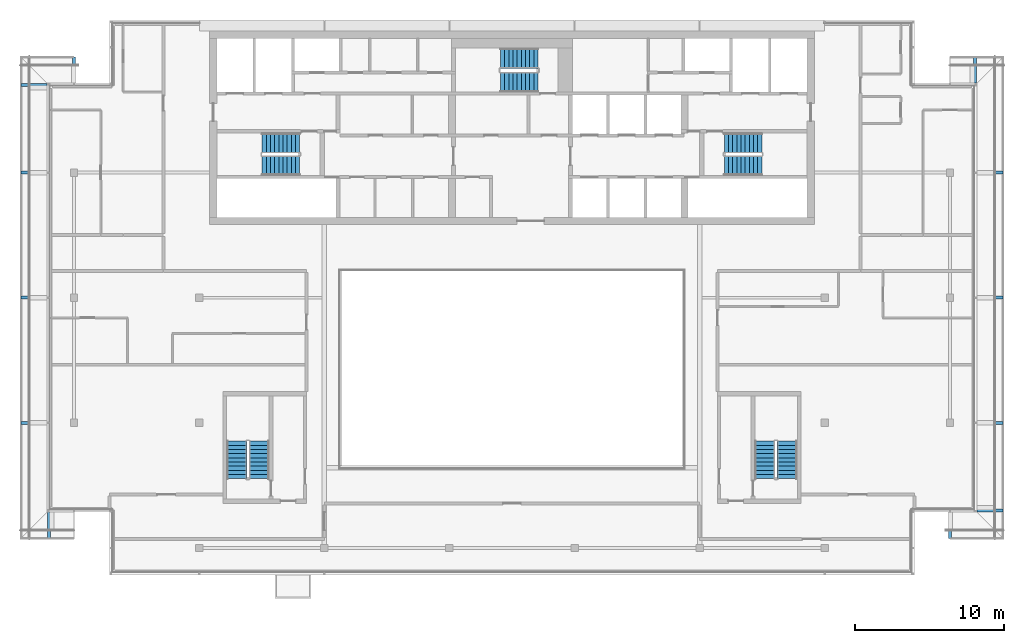
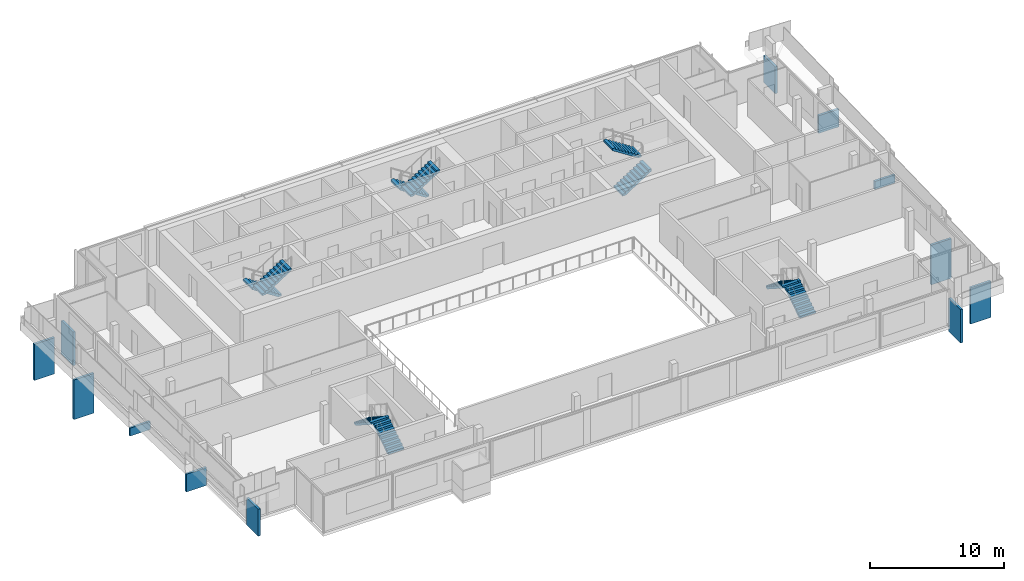
# One storey, part 15 of 19: 12 discrete accessories, 10 stair flights, 5 elements without a shape of their own.
"""IFC4 building model written with IfcOpenShell, lengths in metres."""

from ifc_helpers import new_model, si_unit, direction, frame, origin, origin_2d, place, context, subcontext, project, spatial, polyline, rectangle, outline, extrude, material, type_object, element, aggregate, save


model = new_model("IFC4")

# Units and contexts
model_context = context("Model", 3, precision=1e-05, world=origin(), true_north=direction((0.0, 1.0)))
body_context = subcontext(model_context, "Body", "Model", "MODEL_VIEW")
ifc_project = project(units=[si_unit("LENGTHUNIT", "METRE"), si_unit("AREAUNIT", "SQUARE_METRE"), si_unit("VOLUMEUNIT", "CUBIC_METRE"), si_unit("PLANEANGLEUNIT", "RADIAN"), si_unit("MASSUNIT", "GRAM", prefix="KILO")], contexts=[model_context])

# Site, building, storey
site_placement = place(None, origin())
site = spatial("IfcSite", under=ifc_project, at=site_placement, CompositionType="ELEMENT")
building_placement = place(site_placement, origin())
building = spatial("IfcBuilding", under=site, at=building_placement, Name="Saffron Gate Tower", CompositionType="ELEMENT")
storey_placement = place(building_placement, frame((0.0, 0.0, 292.35009765625)))
storey = spatial("IfcBuildingStorey", under=building, at=storey_placement, Name="L71", CompositionType="ELEMENT", Elevation=292.35009765625)

# Stair, stair flights
ifc_material = material(Name="Concrete C40", Category="concrete")
stair_type = type_object("IfcStairType", Name="ST7 Stair 1350 wide, 20 risers of 180", PredefinedType="HALF_TURN_STAIR", material=ifc_material)
stair_1_placement = place(storey_placement, origin())
stair_1 = element("IfcStair", 1, at=stair_1_placement, inside=storey, type_object=stair_type, Name="L71 Exit stair A", PredefinedType="HALF_TURN_STAIR")
stair_flight_type = type_object("IfcStairFlightType", Name="SF3 Stair flight 1350 wide, riser 180 going 280", PredefinedType="STRAIGHT", material=ifc_material)
stair_flight_1_placement = place(storey_placement, frame((73.35009765625, 67.375, 0.0), z_axis=(0.0, 0.0, 1.0), x_axis=(-1.0, 0.0, 0.0)))
stair_flight_1 = element("IfcStairFlight", 2, at=stair_flight_1_placement, type_object=stair_flight_type, Name="ST-A flight 1", NumberOfRisers=10, NumberOfTreads=9, PredefinedType="STRAIGHT", RiserHeight=0.18, TreadLength=0.28, context=body_context, shape_type="SweptSolid", body=[
    extrude(outline(polyline([(0.0, 0.0), (0.0, 0.179931640625), (0.280029296875, 0.179931640625), (0.280029296875, 0.360107421875), (0.56005859375, 0.360107421875), (0.56005859375, 0.5400390625), (0.840087890625, 0.5400390625), (0.840087890625, 0.719970703125), (1.1201171875, 0.719970703125), (1.1201171875, 0.89990234375), (1.39990234375, 0.89990234375), (1.39990234375, 1.080078125), (1.679931640625, 1.080078125), (1.679931640625, 1.260009765625), (1.9599609375, 1.260009765625), (1.9599609375, 1.43994140625), (2.239990234375, 1.43994140625), (2.239990234375, 1.6201171875), (2.52001953125, 1.6201171875), (2.52001953125, 1.800048828125), (2.52001953125, 1.44189453125), (0.277099609375, 0.0), (0.0, 0.0)])), frame((0.0, 0.675048828125, 0.0), z_axis=(0.0, -1.0, 0.0), x_axis=(1.0, 0.0, 0.0)), (0.0, 0.0, 1.0), 1.35009765625),
])
stair_flight_2_placement = place(storey_placement, frame((70.830078125, 65.875, 1.7998046875), z_axis=(0.0, 0.0, 1.0), x_axis=(1.0, 0.0, 0.0)))
stair_flight_2 = element("IfcStairFlight", 3, at=stair_flight_2_placement, type_object=stair_flight_type, Name="ST-A flight 2", NumberOfRisers=10, NumberOfTreads=9, PredefinedType="STRAIGHT", RiserHeight=0.18, TreadLength=0.28, context=body_context, shape_type="SweptSolid", body=[
    extrude(outline(polyline([(0.0, 0.0), (0.0, 0.179931640625), (0.280029296875, 0.179931640625), (0.280029296875, 0.360107421875), (0.56005859375, 0.360107421875), (0.56005859375, 0.5400390625), (0.840087890625, 0.5400390625), (0.840087890625, 0.719970703125), (1.1201171875, 0.719970703125), (1.1201171875, 0.89990234375), (1.39990234375, 0.89990234375), (1.39990234375, 1.080078125), (1.679931640625, 1.080078125), (1.679931640625, 1.260009765625), (1.9599609375, 1.260009765625), (1.9599609375, 1.43994140625), (2.239990234375, 1.43994140625), (2.239990234375, 1.6201171875), (2.52001953125, 1.6201171875), (2.52001953125, 1.800048828125), (2.52001953125, 1.44189453125), (0.277099609375, 0.0), (0.0, 0.0)])), frame((0.0, 0.675048828125, 0.0), z_axis=(0.0, -1.0, 0.0), x_axis=(1.0, 0.0, 0.0)), (0.0, 0.0, 1.0), 1.35009765625),
])
aggregate(stair_1, [stair_flight_1, stair_flight_2])

stair_2_placement = place(storey_placement, origin())
stair_2 = element("IfcStair", 4, at=stair_2_placement, inside=storey, type_object=stair_type, Name="L71 Exit stair B", PredefinedType="HALF_TURN_STAIR")
stair_flight_3_placement = place(storey_placement, frame((101.85009765625, 65.875, 0.0), z_axis=(0.0, 0.0, 1.0), x_axis=(1.0, 0.0, 0.0)))
stair_flight_3 = element("IfcStairFlight", 5, at=stair_flight_3_placement, type_object=stair_flight_type, Name="ST-B flight 1", NumberOfRisers=10, NumberOfTreads=9, PredefinedType="STRAIGHT", RiserHeight=0.18, TreadLength=0.28, context=body_context, shape_type="SweptSolid", body=[
    extrude(outline(polyline([(0.0, 0.0), (0.0, 0.179931640625), (0.280029296875, 0.179931640625), (0.280029296875, 0.360107421875), (0.56005859375, 0.360107421875), (0.56005859375, 0.5400390625), (0.840087890625, 0.5400390625), (0.840087890625, 0.719970703125), (1.1201171875, 0.719970703125), (1.1201171875, 0.89990234375), (1.39990234375, 0.89990234375), (1.39990234375, 1.080078125), (1.679931640625, 1.080078125), (1.679931640625, 1.260009765625), (1.9599609375, 1.260009765625), (1.9599609375, 1.43994140625), (2.239990234375, 1.43994140625), (2.239990234375, 1.6201171875), (2.52001953125, 1.6201171875), (2.52001953125, 1.800048828125), (2.52001953125, 1.44189453125), (0.277099609375, 0.0), (0.0, 0.0)])), frame((0.0, 0.675048828125, 0.0), z_axis=(0.0, -1.0, 0.0), x_axis=(1.0, 0.0, 0.0)), (0.0, 0.0, 1.0), 1.35009765625),
])
stair_flight_4_placement = place(storey_placement, frame((104.3701171875, 67.375, 1.7998046875), z_axis=(0.0, 0.0, 1.0), x_axis=(-1.0, 0.0, 0.0)))
stair_flight_4 = element("IfcStairFlight", 6, at=stair_flight_4_placement, type_object=stair_flight_type, Name="ST-B flight 2", NumberOfRisers=10, NumberOfTreads=9, PredefinedType="STRAIGHT", RiserHeight=0.18, TreadLength=0.28, context=body_context, shape_type="SweptSolid", body=[
    extrude(outline(polyline([(0.0, 0.0), (0.0, 0.179931640625), (0.280029296875, 0.179931640625), (0.280029296875, 0.360107421875), (0.56005859375, 0.360107421875), (0.56005859375, 0.5400390625), (0.840087890625, 0.5400390625), (0.840087890625, 0.719970703125), (1.1201171875, 0.719970703125), (1.1201171875, 0.89990234375), (1.39990234375, 0.89990234375), (1.39990234375, 1.080078125), (1.679931640625, 1.080078125), (1.679931640625, 1.260009765625), (1.9599609375, 1.260009765625), (1.9599609375, 1.43994140625), (2.239990234375, 1.43994140625), (2.239990234375, 1.6201171875), (2.52001953125, 1.6201171875), (2.52001953125, 1.800048828125), (2.52001953125, 1.44189453125), (0.277099609375, 0.0), (0.0, 0.0)])), frame((0.0, 0.675048828125, 0.0), z_axis=(0.0, -1.0, 0.0), x_axis=(1.0, 0.0, 0.0)), (0.0, 0.0, 1.0), 1.35009765625),
])
aggregate(stair_2, [stair_flight_3, stair_flight_4])

stair_3_placement = place(storey_placement, origin())
stair_3 = element("IfcStair", 7, at=stair_3_placement, inside=storey, type_object=stair_type, Name="L71 Exit stair C", PredefinedType="HALF_TURN_STAIR")
stair_flight_5_placement = place(storey_placement, frame((89.35009765625, 73.074951171875, 0.0), z_axis=(0.0, 0.0, 1.0), x_axis=(-1.0, 0.0, 0.0)))
stair_flight_5 = element("IfcStairFlight", 8, at=stair_flight_5_placement, type_object=stair_flight_type, Name="ST-C flight 1", NumberOfRisers=10, NumberOfTreads=9, PredefinedType="STRAIGHT", RiserHeight=0.18, TreadLength=0.28, context=body_context, shape_type="SweptSolid", body=[
    extrude(outline(polyline([(0.0, 0.0), (0.0, 0.179931640625), (0.280029296875, 0.179931640625), (0.280029296875, 0.360107421875), (0.56005859375, 0.360107421875), (0.56005859375, 0.5400390625), (0.840087890625, 0.5400390625), (0.840087890625, 0.719970703125), (1.1201171875, 0.719970703125), (1.1201171875, 0.89990234375), (1.39990234375, 0.89990234375), (1.39990234375, 1.080078125), (1.679931640625, 1.080078125), (1.679931640625, 1.260009765625), (1.9599609375, 1.260009765625), (1.9599609375, 1.43994140625), (2.239990234375, 1.43994140625), (2.239990234375, 1.6201171875), (2.52001953125, 1.6201171875), (2.52001953125, 1.800048828125), (2.52001953125, 1.44189453125), (0.277099609375, 0.0), (0.0, 0.0)])), frame((0.0, 0.675048828125, 0.0), z_axis=(0.0, -1.0, 0.0), x_axis=(1.0, 0.0, 0.0)), (0.0, 0.0, 1.0), 1.35009765625),
])
stair_flight_6_placement = place(storey_placement, frame((86.830078125, 71.47509765625, 1.7998046875), z_axis=(0.0, 0.0, 1.0), x_axis=(1.0, 0.0, 0.0)))
stair_flight_6 = element("IfcStairFlight", 9, at=stair_flight_6_placement, type_object=stair_flight_type, Name="ST-C flight 2", NumberOfRisers=10, NumberOfTreads=9, PredefinedType="STRAIGHT", RiserHeight=0.18, TreadLength=0.28, context=body_context, shape_type="SweptSolid", body=[
    extrude(outline(polyline([(0.0, 0.0), (0.0, 0.179931640625), (0.280029296875, 0.179931640625), (0.280029296875, 0.360107421875), (0.56005859375, 0.360107421875), (0.56005859375, 0.5400390625), (0.840087890625, 0.5400390625), (0.840087890625, 0.719970703125), (1.1201171875, 0.719970703125), (1.1201171875, 0.89990234375), (1.39990234375, 0.89990234375), (1.39990234375, 1.080078125), (1.679931640625, 1.080078125), (1.679931640625, 1.260009765625), (1.9599609375, 1.260009765625), (1.9599609375, 1.43994140625), (2.239990234375, 1.43994140625), (2.239990234375, 1.6201171875), (2.52001953125, 1.6201171875), (2.52001953125, 1.800048828125), (2.52001953125, 1.44189453125), (0.277099609375, 0.0), (0.0, 0.0)])), frame((0.0, 0.675048828125, 0.0), z_axis=(0.0, -1.0, 0.0), x_axis=(1.0, 0.0, 0.0)), (0.0, 0.0, 1.0), 1.35009765625),
])
aggregate(stair_3, [stair_flight_5, stair_flight_6])

stair_4_placement = place(storey_placement, origin())
stair_4 = element("IfcStair", 10, at=stair_4_placement, inside=storey, type_object=stair_type, Name="L71 Exit stair D", PredefinedType="HALF_TURN_STAIR")
stair_flight_7_placement = place(storey_placement, frame((70.625, 44.85009765625, 0.0), z_axis=(0.0, 0.0, 1.0), x_axis=(0.0, 1.0, 0.0)))
stair_flight_7 = element("IfcStairFlight", 11, at=stair_flight_7_placement, type_object=stair_flight_type, Name="ST-D flight 1", NumberOfRisers=10, NumberOfTreads=9, PredefinedType="STRAIGHT", RiserHeight=0.18, TreadLength=0.28, context=body_context, shape_type="SweptSolid", body=[
    extrude(outline(polyline([(0.0, 0.0), (0.0, 0.179931640625), (0.280029296875, 0.179931640625), (0.280029296875, 0.360107421875), (0.56005859375, 0.360107421875), (0.56005859375, 0.5400390625), (0.840087890625, 0.5400390625), (0.840087890625, 0.719970703125), (1.1201171875, 0.719970703125), (1.1201171875, 0.89990234375), (1.39990234375, 0.89990234375), (1.39990234375, 1.080078125), (1.679931640625, 1.080078125), (1.679931640625, 1.260009765625), (1.9599609375, 1.260009765625), (1.9599609375, 1.43994140625), (2.239990234375, 1.43994140625), (2.239990234375, 1.6201171875), (2.52001953125, 1.6201171875), (2.52001953125, 1.800048828125), (2.52001953125, 1.44189453125), (0.277099609375, 0.0), (0.0, 0.0)])), frame((0.0, 0.675048828125, 0.0), z_axis=(0.0, -1.0, 0.0), x_axis=(1.0, 0.0, 0.0)), (0.0, 0.0, 1.0), 1.35009765625),
])
stair_flight_8_placement = place(storey_placement, frame((69.125, 47.3701171875, 1.7998046875), z_axis=(0.0, 0.0, 1.0), x_axis=(0.0, -1.0, 0.0)))
stair_flight_8 = element("IfcStairFlight", 12, at=stair_flight_8_placement, type_object=stair_flight_type, Name="ST-D flight 2", NumberOfRisers=10, NumberOfTreads=9, PredefinedType="STRAIGHT", RiserHeight=0.18, TreadLength=0.28, context=body_context, shape_type="SweptSolid", body=[
    extrude(outline(polyline([(0.0, 0.0), (0.0, 0.179931640625), (0.280029296875, 0.179931640625), (0.280029296875, 0.360107421875), (0.56005859375, 0.360107421875), (0.56005859375, 0.5400390625), (0.840087890625, 0.5400390625), (0.840087890625, 0.719970703125), (1.1201171875, 0.719970703125), (1.1201171875, 0.89990234375), (1.39990234375, 0.89990234375), (1.39990234375, 1.080078125), (1.679931640625, 1.080078125), (1.679931640625, 1.260009765625), (1.9599609375, 1.260009765625), (1.9599609375, 1.43994140625), (2.239990234375, 1.43994140625), (2.239990234375, 1.6201171875), (2.52001953125, 1.6201171875), (2.52001953125, 1.800048828125), (2.52001953125, 1.44189453125), (0.277099609375, 0.0), (0.0, 0.0)])), frame((0.0, 0.675048828125, 0.0), z_axis=(0.0, -1.0, 0.0), x_axis=(1.0, 0.0, 0.0)), (0.0, 0.0, 1.0), 1.35009765625),
])
aggregate(stair_4, [stair_flight_7, stair_flight_8])

stair_5_placement = place(storey_placement, origin())
stair_5 = element("IfcStair", 13, at=stair_5_placement, inside=storey, type_object=stair_type, Name="L71 Exit stair E", PredefinedType="HALF_TURN_STAIR")
stair_flight_9_placement = place(storey_placement, frame((106.074951171875, 44.85009765625, 0.0), z_axis=(0.0, 0.0, 1.0), x_axis=(0.0, 1.0, 0.0)))
stair_flight_9 = element("IfcStairFlight", 14, at=stair_flight_9_placement, type_object=stair_flight_type, Name="ST-E flight 1", NumberOfRisers=10, NumberOfTreads=9, PredefinedType="STRAIGHT", RiserHeight=0.18, TreadLength=0.28, context=body_context, shape_type="SweptSolid", body=[
    extrude(outline(polyline([(0.0, 0.0), (0.0, 0.179931640625), (0.280029296875, 0.179931640625), (0.280029296875, 0.360107421875), (0.56005859375, 0.360107421875), (0.56005859375, 0.5400390625), (0.840087890625, 0.5400390625), (0.840087890625, 0.719970703125), (1.1201171875, 0.719970703125), (1.1201171875, 0.89990234375), (1.39990234375, 0.89990234375), (1.39990234375, 1.080078125), (1.679931640625, 1.080078125), (1.679931640625, 1.260009765625), (1.9599609375, 1.260009765625), (1.9599609375, 1.43994140625), (2.239990234375, 1.43994140625), (2.239990234375, 1.6201171875), (2.52001953125, 1.6201171875), (2.52001953125, 1.800048828125), (2.52001953125, 1.44189453125), (0.277099609375, 0.0), (0.0, 0.0)])), frame((0.0, 0.675048828125, 0.0), z_axis=(0.0, -1.0, 0.0), x_axis=(1.0, 0.0, 0.0)), (0.0, 0.0, 1.0), 1.35009765625),
])
stair_flight_10_placement = place(storey_placement, frame((104.574951171875, 47.3701171875, 1.7998046875), z_axis=(0.0, 0.0, 1.0), x_axis=(0.0, -1.0, 0.0)))
stair_flight_10 = element("IfcStairFlight", 15, at=stair_flight_10_placement, type_object=stair_flight_type, Name="ST-E flight 2", NumberOfRisers=10, NumberOfTreads=9, PredefinedType="STRAIGHT", RiserHeight=0.18, TreadLength=0.28, context=body_context, shape_type="SweptSolid", body=[
    extrude(outline(polyline([(0.0, 0.0), (0.0, 0.179931640625), (0.280029296875, 0.179931640625), (0.280029296875, 0.360107421875), (0.56005859375, 0.360107421875), (0.56005859375, 0.5400390625), (0.840087890625, 0.5400390625), (0.840087890625, 0.719970703125), (1.1201171875, 0.719970703125), (1.1201171875, 0.89990234375), (1.39990234375, 0.89990234375), (1.39990234375, 1.080078125), (1.679931640625, 1.080078125), (1.679931640625, 1.260009765625), (1.9599609375, 1.260009765625), (1.9599609375, 1.43994140625), (2.239990234375, 1.43994140625), (2.239990234375, 1.6201171875), (2.52001953125, 1.6201171875), (2.52001953125, 1.800048828125), (2.52001953125, 1.44189453125), (0.277099609375, 0.0), (0.0, 0.0)])), frame((0.0, 0.675048828125, 0.0), z_axis=(0.0, -1.0, 0.0), x_axis=(1.0, 0.0, 0.0)), (0.0, 0.0, 1.0), 1.35009765625),
])
aggregate(stair_5, [stair_flight_9, stair_flight_10])

# Discrete accessories
discrete_accessory_1_placement = place(storey_placement, frame((117.0, 41.72509765625, -3.880126953125), z_axis=(0.0, 0.0, 1.0), x_axis=(1.0, 0.0, 0.0)))
element("IfcDiscreteAccessory", 16, at=discrete_accessory_1_placement, inside=storey, Name="LEDGE rib", PredefinedType="BRACKET", context=body_context, shape_type="SweptSolid", body=[
    extrude(rectangle(XDim=0.199951171875, YDim=1.75, at=origin_2d()), origin(), (0.0, 0.0, 1.0), 3.06005859375),
])
discrete_accessory_2_placement = place(storey_placement, frame((119.675048828125, 42.719970703125, -3.880126953125), z_axis=(0.0, 0.0, 1.0), x_axis=(0.0, 1.0, 0.0)))
element("IfcDiscreteAccessory", 17, at=discrete_accessory_2_placement, inside=storey, Name="LEDGE rib", PredefinedType="BRACKET", context=body_context, shape_type="SweptSolid", body=[
    extrude(rectangle(XDim=0.199951171875, YDim=1.75, at=origin_2d()), origin(), (0.0, 0.0, 1.0), 3.298828125),
])
discrete_accessory_3_placement = place(storey_placement, frame((119.675048828125, 48.60009765625, -3.88037109375), z_axis=(0.0, 0.0, 1.0), x_axis=(0.0, 1.0, 0.0)))
element("IfcDiscreteAccessory", 18, at=discrete_accessory_3_placement, inside=storey, Name="LEDGE rib", PredefinedType="BRACKET", context=body_context, shape_type="SweptSolid", body=[
    extrude(rectangle(XDim=0.199951171875, YDim=1.75, at=origin_2d()), origin(), (0.0, 0.0, 1.0), 3.612060546875),
])
discrete_accessory_4_placement = place(storey_placement, frame((119.675048828125, 57.0, -0.2802734375), z_axis=(0.0, 0.0, 1.0), x_axis=(0.0, 1.0, 0.0)))
element("IfcDiscreteAccessory", 19, at=discrete_accessory_4_placement, inside=storey, Name="LEDGE rib", PredefinedType="BRACKET", context=body_context, shape_type="SweptSolid", body=[
    extrude(rectangle(XDim=0.199951171875, YDim=1.75, at=origin_2d()), origin(), (0.0, 0.0, 1.0), 0.721435546875),
])
discrete_accessory_5_placement = place(storey_placement, frame((119.675048828125, 65.39990234375, -0.2802734375), z_axis=(0.0, 0.0, 1.0), x_axis=(0.0, 1.0, 0.0)))
element("IfcDiscreteAccessory", 20, at=discrete_accessory_5_placement, inside=storey, Name="LEDGE rib", PredefinedType="BRACKET", context=body_context, shape_type="SweptSolid", body=[
    extrude(rectangle(XDim=0.199951171875, YDim=1.75, at=origin_2d()), origin(), (0.0, 0.0, 1.0), 1.617919921875),
])
discrete_accessory_6_placement = place(storey_placement, frame((118.679931640625, 72.27490234375, -0.2802734375), z_axis=(0.0, 0.0, 1.0), x_axis=(-1.0, 0.0, 0.0)))
element("IfcDiscreteAccessory", 21, at=discrete_accessory_6_placement, inside=storey, Name="LEDGE rib", PredefinedType="BRACKET", context=body_context, shape_type="SweptSolid", body=[
    extrude(rectangle(XDim=0.199951171875, YDim=1.75, at=origin_2d()), origin(), (0.0, 0.0, 1.0), 2.445068359375),
])
discrete_accessory_7_placement = place(storey_placement, frame((58.199951171875, 72.27490234375, -3.880126953125), z_axis=(0.0, 0.0, 1.0), x_axis=(-1.0, 0.0, 0.0)))
element("IfcDiscreteAccessory", 22, at=discrete_accessory_7_placement, inside=storey, Name="LEDGE rib", PredefinedType="BRACKET", context=body_context, shape_type="SweptSolid", body=[
    extrude(rectangle(XDim=0.199951171875, YDim=1.75, at=origin_2d()), origin(), (0.0, 0.0, 1.0), 3.06005859375),
])
discrete_accessory_8_placement = place(storey_placement, frame((55.52490234375, 71.280029296875, -3.880126953125), z_axis=(0.0, 0.0, 1.0), x_axis=(0.0, -1.0, 0.0)))
element("IfcDiscreteAccessory", 23, at=discrete_accessory_8_placement, inside=storey, Name="LEDGE rib", PredefinedType="BRACKET", context=body_context, shape_type="SweptSolid", body=[
    extrude(rectangle(XDim=0.199951171875, YDim=1.75, at=origin_2d()), origin(), (0.0, 0.0, 1.0), 3.298828125),
])
discrete_accessory_9_placement = place(storey_placement, frame((55.52490234375, 65.39990234375, -3.88037109375), z_axis=(0.0, 0.0, 1.0), x_axis=(0.0, -1.0, 0.0)))
element("IfcDiscreteAccessory", 24, at=discrete_accessory_9_placement, inside=storey, Name="LEDGE rib", PredefinedType="BRACKET", context=body_context, shape_type="SweptSolid", body=[
    extrude(rectangle(XDim=0.199951171875, YDim=1.75, at=origin_2d()), origin(), (0.0, 0.0, 1.0), 3.612060546875),
])
discrete_accessory_10_placement = place(storey_placement, frame((55.52490234375, 57.0, -0.2802734375), z_axis=(0.0, 0.0, 1.0), x_axis=(0.0, -1.0, 0.0)))
element("IfcDiscreteAccessory", 25, at=discrete_accessory_10_placement, inside=storey, Name="LEDGE rib", PredefinedType="BRACKET", context=body_context, shape_type="SweptSolid", body=[
    extrude(rectangle(XDim=0.199951171875, YDim=1.75, at=origin_2d()), origin(), (0.0, 0.0, 1.0), 0.721435546875),
])
discrete_accessory_11_placement = place(storey_placement, frame((55.52490234375, 48.60009765625, -0.2802734375), z_axis=(0.0, 0.0, 1.0), x_axis=(0.0, -1.0, 0.0)))
element("IfcDiscreteAccessory", 26, at=discrete_accessory_11_placement, inside=storey, Name="LEDGE rib", PredefinedType="BRACKET", context=body_context, shape_type="SweptSolid", body=[
    extrude(rectangle(XDim=0.199951171875, YDim=1.75, at=origin_2d()), origin(), (0.0, 0.0, 1.0), 1.617919921875),
])
discrete_accessory_12_placement = place(storey_placement, frame((56.52001953125, 41.72509765625, -0.2802734375), z_axis=(0.0, 0.0, 1.0), x_axis=(1.0, 0.0, 0.0)))
element("IfcDiscreteAccessory", 27, at=discrete_accessory_12_placement, inside=storey, Name="LEDGE rib", PredefinedType="BRACKET", context=body_context, shape_type="SweptSolid", body=[
    extrude(rectangle(XDim=0.199951171875, YDim=1.75, at=origin_2d()), origin(), (0.0, 0.0, 1.0), 2.445068359375),
])

save(model, "model.ifc")
